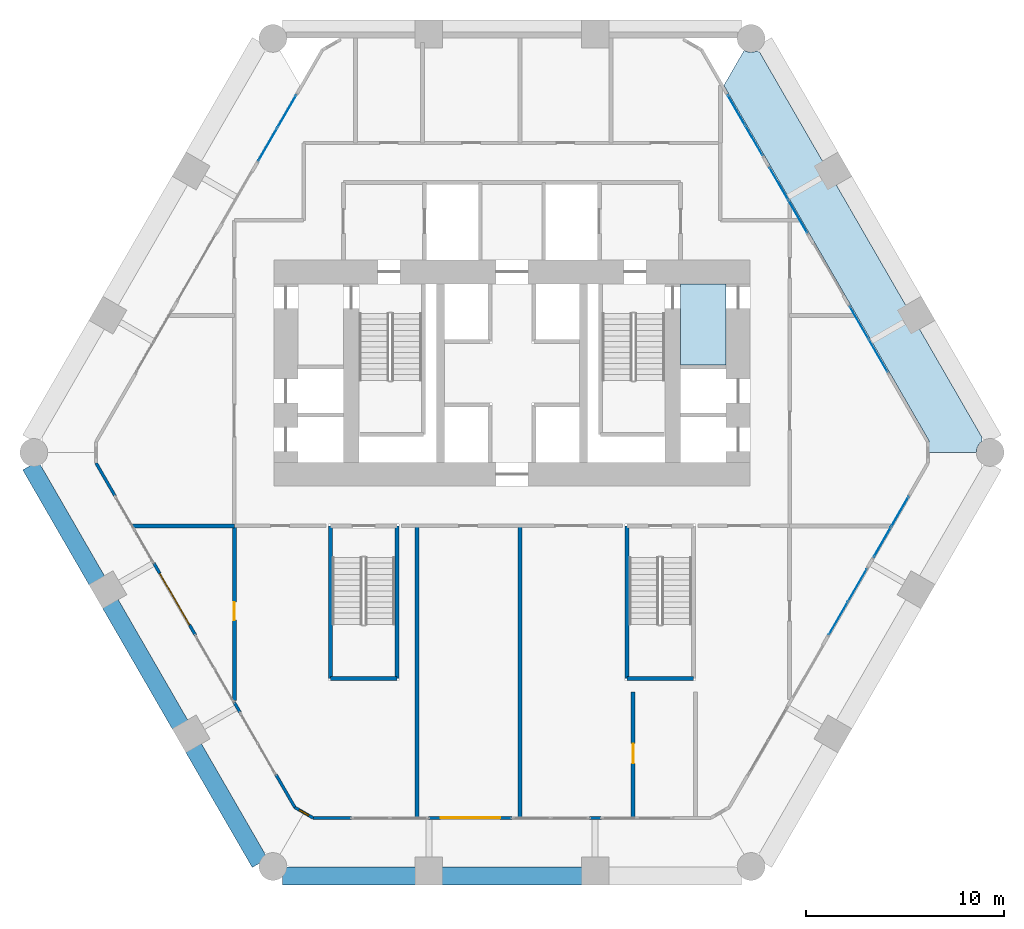
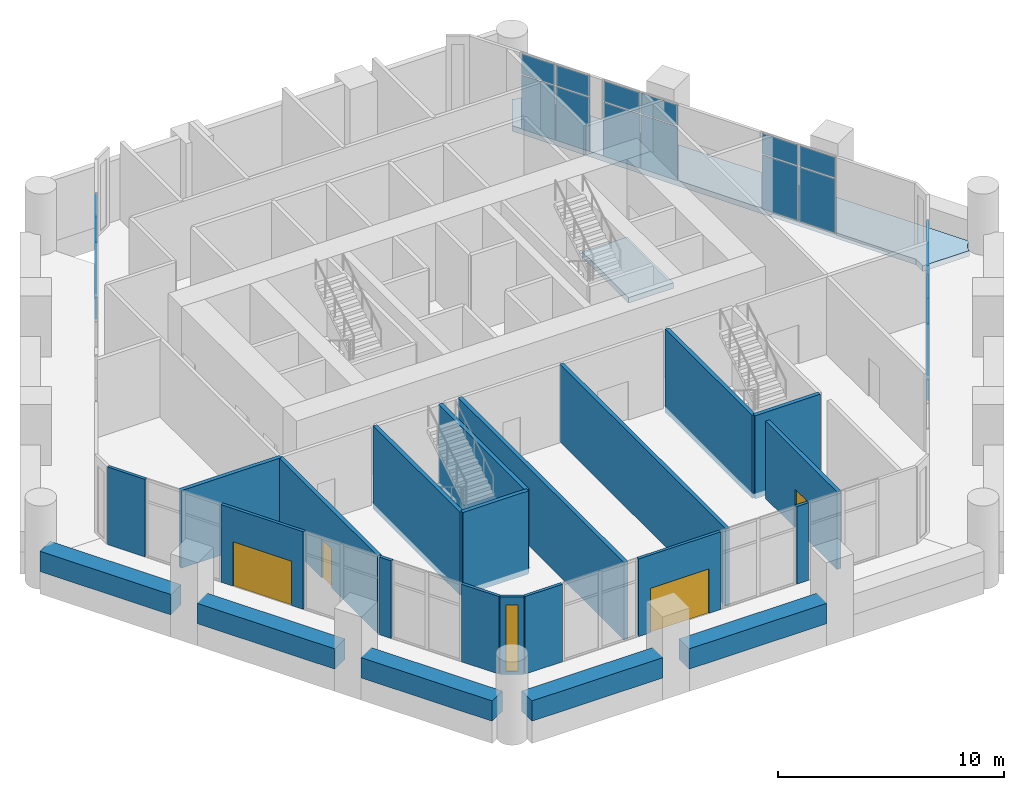
# One storey, part 13 of 18: 24 plates, 23 walls, 4 doors, 2 slabs, 1 window, 5 openings, 6 elements without a shape of their own.
"""IFC4 building model written with IfcOpenShell, lengths in metres."""

from ifc_helpers import new_model, si_unit, direction, frame, frame_2d, origin, origin_2d, place, context, subcontext, project, spatial, polyline, rectangle, outline, extrude, material, layer, layer_set, type_object, element, fill, aggregate, save


model = new_model("IFC4")

# Units and contexts
model_context = context("Model", 3, precision=1e-05, world=origin(), true_north=direction((0.0, 1.0)))
body_context = subcontext(model_context, "Body", "Model", "MODEL_VIEW")
ifc_project = project(units=[si_unit("LENGTHUNIT", "METRE"), si_unit("AREAUNIT", "SQUARE_METRE"), si_unit("VOLUMEUNIT", "CUBIC_METRE"), si_unit("PLANEANGLEUNIT", "RADIAN"), si_unit("MASSUNIT", "GRAM", prefix="KILO")], contexts=[model_context])

# Site, building, storey
site_placement = place(None, origin())
site = spatial("IfcSite", under=ifc_project, at=site_placement, CompositionType="ELEMENT")
building_placement = place(site_placement, origin())
building = spatial("IfcBuilding", under=site, at=building_placement, Name="Ostrander Bayou Hotel Tower", CompositionType="ELEMENT")
storey_placement = place(building_placement, frame((0.0, 0.0, 19.0)))
storey = spatial("IfcBuildingStorey", under=building, at=storey_placement, Name="L04", CompositionType="ELEMENT", Elevation=19.0)

# Curtain wall, plates
ifc_material_1 = material(Name="Aluminium and clear glass", Category="aluminium")
curtain_wall_type = type_object("IfcCurtainWallType", Name="CW-SKY amenity glass wall", PredefinedType="NOTDEFINED", material=ifc_material_1)
curtain_wall_1_placement = place(storey_placement, origin())
curtain_wall_1 = element("IfcCurtainWall", 1, at=curtain_wall_1_placement, inside=storey, type_object=curtain_wall_type, Name="CW-SKY L04 NW 1", PredefinedType="NOTDEFINED")
ifc_material_2 = material(Name="Clear laminated glass", Category="glass")
ifc_layer_1 = layer(ifc_material_2, 0.028076171875)
ifc_layer_set_1 = layer_set([ifc_layer_1], Name="CW-SK glazing panel 28 mm")
plate_type = type_object("IfcPlateType", Name="CW-SK glazing panel 28 mm", PredefinedType="CURTAIN_PANEL", material=ifc_layer_set_1)
plate_1_placement = place(storey_placement, frame((-11.3515625, 17.188720703125, 0.06005859375), z_axis=(0.0, 0.0, 1.0), x_axis=(-0.499999897278, -0.866025463091, 0.0)))
plate_1 = element("IfcPlate", 2, at=plate_1_placement, type_object=plate_type, Name="CW-SKY panel 1.1", PredefinedType="CURTAIN_PANEL", context=body_context, shape_type="SweptSolid", body=[
    extrude(rectangle(XDim=1.860107421875, YDim=0.028076171875, at=origin_2d()), origin(), (0.0, 0.0, 1.0), 2.909912109375),
])
plate_2_placement = place(storey_placement, frame((-11.3515625, 17.188720703125, 3.02978515625), z_axis=(0.0, 0.0, 1.0), x_axis=(-0.499999897278, -0.866025463091, 0.0)))
plate_2 = element("IfcPlate", 3, at=plate_2_placement, type_object=plate_type, Name="CW-SKY panel 1.2", PredefinedType="CURTAIN_PANEL", context=body_context, shape_type="SweptSolid", body=[
    extrude(rectangle(XDim=1.860107421875, YDim=0.028076171875, at=origin_2d()), origin(), (0.0, 0.0, 1.0), 1.110107421875),
])
plate_3_placement = place(storey_placement, frame((-12.3115234375, 15.52587890625, 0.06005859375), z_axis=(0.0, 0.0, 1.0), x_axis=(-0.499999897278, -0.866025463091, 0.0)))
plate_3 = element("IfcPlate", 4, at=plate_3_placement, type_object=plate_type, Name="CW-SKY panel 2.1", PredefinedType="CURTAIN_PANEL", context=body_context, shape_type="SweptSolid", body=[
    extrude(rectangle(XDim=1.860107421875, YDim=0.028076171875, at=origin_2d()), origin(), (0.0, 0.0, 1.0), 2.909912109375),
])
plate_4_placement = place(storey_placement, frame((-12.3115234375, 15.52587890625, 3.02978515625), z_axis=(0.0, 0.0, 1.0), x_axis=(-0.499999897278, -0.866025463091, 0.0)))
plate_4 = element("IfcPlate", 5, at=plate_4_placement, type_object=plate_type, Name="CW-SKY panel 2.2", PredefinedType="CURTAIN_PANEL", context=body_context, shape_type="SweptSolid", body=[
    extrude(rectangle(XDim=1.860107421875, YDim=0.028076171875, at=origin_2d()), origin(), (0.0, 0.0, 1.0), 1.110107421875),
])
aggregate(curtain_wall_1, [plate_1, plate_2, plate_3, plate_4])

curtain_wall_2_placement = place(storey_placement, origin())
curtain_wall_2 = element("IfcCurtainWall", 6, at=curtain_wall_2_placement, inside=storey, type_object=curtain_wall_type, Name="CW-SKY L04 SE 3", PredefinedType="NOTDEFINED")
plate_5_placement = place(storey_placement, frame((16.451416015625, -8.355224609375, 0.06005859375), z_axis=(0.0, 0.0, 1.0), x_axis=(0.499999897278, 0.866025463091, 0.0)))
plate_5 = element("IfcPlate", 7, at=plate_5_placement, type_object=plate_type, Name="CW-SKY panel 1.1", PredefinedType="CURTAIN_PANEL", context=body_context, shape_type="SweptSolid", body=[
    extrude(rectangle(XDim=1.860107421875, YDim=0.028076171875, at=origin_2d()), origin(), (0.0, 0.0, 1.0), 2.909912109375),
])
plate_6_placement = place(storey_placement, frame((16.451416015625, -8.355224609375, 3.02978515625), z_axis=(0.0, 0.0, 1.0), x_axis=(0.499999897278, 0.866025463091, 0.0)))
plate_6 = element("IfcPlate", 8, at=plate_6_placement, type_object=plate_type, Name="CW-SKY panel 1.2", PredefinedType="CURTAIN_PANEL", context=body_context, shape_type="SweptSolid", body=[
    extrude(rectangle(XDim=1.860107421875, YDim=0.028076171875, at=origin_2d()), origin(), (0.0, 0.0, 1.0), 1.110107421875),
])
plate_7_placement = place(storey_placement, frame((17.41162109375, -6.6923828125, 0.06005859375), z_axis=(0.0, 0.0, 1.0), x_axis=(0.499999897278, 0.866025463091, 0.0)))
plate_7 = element("IfcPlate", 9, at=plate_7_placement, type_object=plate_type, Name="CW-SKY panel 2.1", PredefinedType="CURTAIN_PANEL", context=body_context, shape_type="SweptSolid", body=[
    extrude(rectangle(XDim=1.860107421875, YDim=0.028076171875, at=origin_2d()), origin(), (0.0, 0.0, 1.0), 2.909912109375),
])
plate_8_placement = place(storey_placement, frame((17.41162109375, -6.6923828125, 3.02978515625), z_axis=(0.0, 0.0, 1.0), x_axis=(0.499999897278, 0.866025463091, 0.0)))
plate_8 = element("IfcPlate", 10, at=plate_8_placement, type_object=plate_type, Name="CW-SKY panel 2.2", PredefinedType="CURTAIN_PANEL", context=body_context, shape_type="SweptSolid", body=[
    extrude(rectangle(XDim=1.860107421875, YDim=0.028076171875, at=origin_2d()), origin(), (0.0, 0.0, 1.0), 1.110107421875),
])
aggregate(curtain_wall_2, [plate_5, plate_6, plate_7, plate_8])

curtain_wall_3_placement = place(storey_placement, origin())
curtain_wall_3 = element("IfcCurtainWall", 11, at=curtain_wall_3_placement, inside=storey, type_object=curtain_wall_type, Name="CW-SKY L04 SE 4", PredefinedType="NOTDEFINED")
plate_9_placement = place(storey_placement, frame((18.6640625, -4.52294921875, 0.06005859375), z_axis=(0.0, 0.0, 1.0), x_axis=(0.499998972029, 0.866025997283, 0.0)))
plate_9 = element("IfcPlate", 12, at=plate_9_placement, type_object=plate_type, Name="CW-SKY panel 1.1", PredefinedType="CURTAIN_PANEL", context=body_context, shape_type="SweptSolid", body=[
    extrude(rectangle(XDim=1.7099609375, YDim=0.028076171875, at=origin_2d()), origin(), (0.0, 0.0, 1.0), 2.909912109375),
])
plate_10_placement = place(storey_placement, frame((18.6640625, -4.52294921875, 3.02978515625), z_axis=(0.0, 0.0, 1.0), x_axis=(0.499998972029, 0.866025997283, 0.0)))
plate_10 = element("IfcPlate", 13, at=plate_10_placement, type_object=plate_type, Name="CW-SKY panel 1.2", PredefinedType="CURTAIN_PANEL", context=body_context, shape_type="SweptSolid", body=[
    extrude(rectangle(XDim=1.7099609375, YDim=0.028076171875, at=origin_2d()), origin(), (0.0, 0.0, 1.0), 1.110107421875),
])
plate_11_placement = place(storey_placement, frame((19.549072265625, -2.990234375, 0.06005859375), z_axis=(0.0, 0.0, 1.0), x_axis=(0.499998972029, 0.866025997283, 0.0)))
plate_11 = element("IfcPlate", 14, at=plate_11_placement, type_object=plate_type, Name="CW-SKY panel 2.1", PredefinedType="CURTAIN_PANEL", context=body_context, shape_type="SweptSolid", body=[
    extrude(rectangle(XDim=1.7099609375, YDim=0.028076171875, at=origin_2d()), origin(), (0.0, 0.0, 1.0), 2.909912109375),
])
plate_12_placement = place(storey_placement, frame((19.549072265625, -2.990234375, 3.02978515625), z_axis=(0.0, 0.0, 1.0), x_axis=(0.499998972029, 0.866025997283, 0.0)))
plate_12 = element("IfcPlate", 15, at=plate_12_placement, type_object=plate_type, Name="CW-SKY panel 2.2", PredefinedType="CURTAIN_PANEL", context=body_context, shape_type="SweptSolid", body=[
    extrude(rectangle(XDim=1.7099609375, YDim=0.028076171875, at=origin_2d()), origin(), (0.0, 0.0, 1.0), 1.110107421875),
])
aggregate(curtain_wall_3, [plate_9, plate_10, plate_11, plate_12])

curtain_wall_4_placement = place(storey_placement, origin())
curtain_wall_4 = element("IfcCurtainWall", 16, at=curtain_wall_4_placement, inside=storey, type_object=curtain_wall_type, Name="CW-SKY L04 NE 2", PredefinedType="NOTDEFINED")
plate_13_placement = place(storey_placement, frame((18.46142578125, 4.873779296875, 0.06005859375), z_axis=(0.0, 0.0, 1.0), x_axis=(-0.499999897278, 0.866025463091, 0.0)))
plate_13 = element("IfcPlate", 17, at=plate_13_placement, type_object=plate_type, Name="CW-SKY panel 1.1", PredefinedType="CURTAIN_PANEL", context=body_context, shape_type="SweptSolid", body=[
    extrude(rectangle(XDim=1.860107421875, YDim=0.028076171875, at=origin_2d()), origin(), (0.0, 0.0, 1.0), 2.909912109375),
])
plate_14_placement = place(storey_placement, frame((18.46142578125, 4.873779296875, 3.02978515625), z_axis=(0.0, 0.0, 1.0), x_axis=(-0.499999897278, 0.866025463091, 0.0)))
plate_14 = element("IfcPlate", 18, at=plate_14_placement, type_object=plate_type, Name="CW-SKY panel 1.2", PredefinedType="CURTAIN_PANEL", context=body_context, shape_type="SweptSolid", body=[
    extrude(rectangle(XDim=1.860107421875, YDim=0.028076171875, at=origin_2d()), origin(), (0.0, 0.0, 1.0), 1.110107421875),
])
plate_15_placement = place(storey_placement, frame((17.50146484375, 6.536376953125, 0.06005859375), z_axis=(0.0, 0.0, 1.0), x_axis=(-0.499999897278, 0.866025463091, 0.0)))
plate_15 = element("IfcPlate", 19, at=plate_15_placement, type_object=plate_type, Name="CW-SKY panel 2.1", PredefinedType="CURTAIN_PANEL", context=body_context, shape_type="SweptSolid", body=[
    extrude(rectangle(XDim=1.860107421875, YDim=0.028076171875, at=origin_2d()), origin(), (0.0, 0.0, 1.0), 2.909912109375),
])
plate_16_placement = place(storey_placement, frame((17.50146484375, 6.536376953125, 3.02978515625), z_axis=(0.0, 0.0, 1.0), x_axis=(-0.499999897278, 0.866025463091, 0.0)))
plate_16 = element("IfcPlate", 20, at=plate_16_placement, type_object=plate_type, Name="CW-SKY panel 2.2", PredefinedType="CURTAIN_PANEL", context=body_context, shape_type="SweptSolid", body=[
    extrude(rectangle(XDim=1.860107421875, YDim=0.028076171875, at=origin_2d()), origin(), (0.0, 0.0, 1.0), 1.110107421875),
])
aggregate(curtain_wall_4, [plate_13, plate_14, plate_15, plate_16])

curtain_wall_5_placement = place(storey_placement, origin())
curtain_wall_5 = element("IfcCurtainWall", 21, at=curtain_wall_5_placement, inside=storey, type_object=curtain_wall_type, Name="CW-SKY L04 NE 4", PredefinedType="NOTDEFINED")
plate_17_placement = place(storey_placement, frame((14.41162109375, 11.888671875, 0.06005859375), z_axis=(0.0, 0.0, 1.0), x_axis=(-0.499999897278, 0.866025463091, 0.0)))
plate_17 = element("IfcPlate", 22, at=plate_17_placement, type_object=plate_type, Name="CW-SKY panel 1.1", PredefinedType="CURTAIN_PANEL", context=body_context, shape_type="SweptSolid", body=[
    extrude(rectangle(XDim=1.860107421875, YDim=0.028076171875, at=origin_2d()), origin(), (0.0, 0.0, 1.0), 2.909912109375),
])
plate_18_placement = place(storey_placement, frame((14.41162109375, 11.888671875, 3.02978515625), z_axis=(0.0, 0.0, 1.0), x_axis=(-0.499999897278, 0.866025463091, 0.0)))
plate_18 = element("IfcPlate", 23, at=plate_18_placement, type_object=plate_type, Name="CW-SKY panel 1.2", PredefinedType="CURTAIN_PANEL", context=body_context, shape_type="SweptSolid", body=[
    extrude(rectangle(XDim=1.860107421875, YDim=0.028076171875, at=origin_2d()), origin(), (0.0, 0.0, 1.0), 1.110107421875),
])
plate_19_placement = place(storey_placement, frame((13.451416015625, 13.55126953125, 0.06005859375), z_axis=(0.0, 0.0, 1.0), x_axis=(-0.499999897278, 0.866025463091, 0.0)))
plate_19 = element("IfcPlate", 24, at=plate_19_placement, type_object=plate_type, Name="CW-SKY panel 2.1", PredefinedType="CURTAIN_PANEL", context=body_context, shape_type="SweptSolid", body=[
    extrude(rectangle(XDim=1.860107421875, YDim=0.028076171875, at=origin_2d()), origin(), (0.0, 0.0, 1.0), 2.909912109375),
])
plate_20_placement = place(storey_placement, frame((13.451416015625, 13.55126953125, 3.02978515625), z_axis=(0.0, 0.0, 1.0), x_axis=(-0.499999897278, 0.866025463091, 0.0)))
plate_20 = element("IfcPlate", 25, at=plate_20_placement, type_object=plate_type, Name="CW-SKY panel 2.2", PredefinedType="CURTAIN_PANEL", context=body_context, shape_type="SweptSolid", body=[
    extrude(rectangle(XDim=1.860107421875, YDim=0.028076171875, at=origin_2d()), origin(), (0.0, 0.0, 1.0), 1.110107421875),
])
aggregate(curtain_wall_5, [plate_17, plate_18, plate_19, plate_20])

curtain_wall_6_placement = place(storey_placement, origin())
curtain_wall_6 = element("IfcCurtainWall", 26, at=curtain_wall_6_placement, inside=storey, type_object=curtain_wall_type, Name="CW-SKY L04 NE 5", PredefinedType="NOTDEFINED")
plate_21_placement = place(storey_placement, frame((12.198974609375, 15.720703125, 0.06005859375), z_axis=(0.0, 0.0, 1.0), x_axis=(-0.499998972029, 0.866025997283, 0.0)))
plate_21 = element("IfcPlate", 27, at=plate_21_placement, type_object=plate_type, Name="CW-SKY panel 1.1", PredefinedType="CURTAIN_PANEL", context=body_context, shape_type="SweptSolid", body=[
    extrude(rectangle(XDim=1.7099609375, YDim=0.028076171875, at=origin_2d()), origin(), (0.0, 0.0, 1.0), 2.909912109375),
])
plate_22_placement = place(storey_placement, frame((12.198974609375, 15.720703125, 3.02978515625), z_axis=(0.0, 0.0, 1.0), x_axis=(-0.499998972029, 0.866025997283, 0.0)))
plate_22 = element("IfcPlate", 28, at=plate_22_placement, type_object=plate_type, Name="CW-SKY panel 1.2", PredefinedType="CURTAIN_PANEL", context=body_context, shape_type="SweptSolid", body=[
    extrude(rectangle(XDim=1.7099609375, YDim=0.028076171875, at=origin_2d()), origin(), (0.0, 0.0, 1.0), 1.110107421875),
])
plate_23_placement = place(storey_placement, frame((11.31396484375, 17.253662109375, 0.06005859375), z_axis=(0.0, 0.0, 1.0), x_axis=(-0.499998972029, 0.866025997283, 0.0)))
plate_23 = element("IfcPlate", 29, at=plate_23_placement, type_object=plate_type, Name="CW-SKY panel 2.1", PredefinedType="CURTAIN_PANEL", context=body_context, shape_type="SweptSolid", body=[
    extrude(rectangle(XDim=1.7099609375, YDim=0.028076171875, at=origin_2d()), origin(), (0.0, 0.0, 1.0), 2.909912109375),
])
plate_24_placement = place(storey_placement, frame((11.31396484375, 17.253662109375, 3.02978515625), z_axis=(0.0, 0.0, 1.0), x_axis=(-0.499998972029, 0.866025997283, 0.0)))
plate_24 = element("IfcPlate", 30, at=plate_24_placement, type_object=plate_type, Name="CW-SKY panel 2.2", PredefinedType="CURTAIN_PANEL", context=body_context, shape_type="SweptSolid", body=[
    extrude(rectangle(XDim=1.7099609375, YDim=0.028076171875, at=origin_2d()), origin(), (0.0, 0.0, 1.0), 1.110107421875),
])
aggregate(curtain_wall_6, [plate_21, plate_22, plate_23, plate_24])

# Slabs
ifc_material_3 = material(Name="Concrete f'c 40 MPa", Category="concrete")
ifc_layer_2 = layer(ifc_material_3, 0.300048828125)
ifc_layer_set_2 = layer_set([ifc_layer_2], Name="SL1 floor slab 300 mm f'c 40 MPa")
slab_type_1 = type_object("IfcSlabType", Name="SL1 floor slab 300 mm f'c 40 MPa", PredefinedType="FLOOR", material=ifc_layer_set_2)
slab_1_placement = place(storey_placement, frame((0.0, 0.0, -0.300048828125)))
element("IfcSlab", 31, at=slab_1_placement, inside=storey, type_object=slab_type_1, Name="cslab:L04:003", PredefinedType="FLOOR", context=body_context, shape_type="SweptSolid", body=[
    extrude(outline(polyline([(10.800048828125, 4.39990234375), (10.800048828125, 8.5), (8.5, 8.5), (8.5, 4.39990234375), (10.800048828125, 4.39990234375)])), origin(), (0.0, 0.0, 1.0), 0.300048828125),
])
ifc_material_4 = material(Name="Concrete f'c 40 MPa", Category="concrete")
ifc_layer_3 = layer(ifc_material_4, 0.300048828125)
ifc_layer_set_3 = layer_set([ifc_layer_3], Name="SL4 loggia slab 300 mm f'c 40 MPa")
slab_type_2 = type_object("IfcSlabType", Name="SL4 loggia slab 300 mm f'c 40 MPa", PredefinedType="FLOOR", material=ifc_layer_set_3)
slab_2_placement = place(storey_placement, frame((0.0, 0.0, -0.300048828125)))
element("IfcSlab", 32, at=slab_2_placement, inside=storey, type_object=slab_type_2, Name="SL4 LOGGIA L04 NE 1", PredefinedType="FLOOR", context=body_context, shape_type="SweptSolid", body=[
    extrude(outline(polyline([(11.7021484375, 20.2685546875), (11.78271484375, 20.2255859375), (11.9140625, 20.185791015625), (12.050537109375, 20.172119140625), (12.187255859375, 20.185791015625), (12.318603515625, 20.2255859375), (12.344482421875, 20.239501953125), (12.49951171875, 20.14990234375), (13.924560546875, 17.681884765625), (14.598388671875, 16.5146484375), (15.667236328125, 14.66357421875), (16.337158203125, 13.503173828125), (19.862548828125, 7.39697265625), (20.53271484375, 6.236328125), (23.7001953125, 0.75), (23.7001953125, 0.572021484375), (23.606201171875, 0.4951171875), (23.519287109375, 0.388916015625), (23.45458984375, 0.267822265625), (23.41455078125, 0.13671875), (23.401123046875, 0.0), (21.015380859375, 0.0), (21.015380859375, 0.60009765625), (10.680908203125, 18.5), (11.7021484375, 20.2685546875)])), origin(), (0.0, 0.0, 1.0), 0.300048828125),
])

# Wall, opening, door
ifc_material_5 = material(Name="Aluminium framed insulated wall", Category="aluminium")
ifc_layer_4 = layer(ifc_material_5, 0.14990234375)
ifc_layer_set_4 = layer_set([ifc_layer_4], Name="GW1 glass-line wall 150 mm")
wall_type_1 = type_object("IfcWallType", Name="GW1 glass-line wall 150 mm", PredefinedType="SOLIDWALL", material=ifc_layer_set_4)
wall_1_placement = place(storey_placement, frame((-18.056396484375, -5.5751953125, 0.0), z_axis=(0.0, 0.0, 1.0), x_axis=(0.49998411664, -0.866034573852, 0.0)))
wall_1 = element("IfcWall", 33, at=wall_1_placement, inside=storey, type_object=wall_type_1, Name="GW1 L04 SW 2", PredefinedType="SOLIDWALL", context=body_context, shape_type="SweptSolid", body=[
    extrude(rectangle(XDim=4.199951171875, YDim=0.14990234375, at=frame_2d((2.10009765625, 0.0))), origin(), (0.0, 0.0, 1.0), 4.199951171875),
])
opening_1_placement = place(wall_1_placement, frame((0.60009765625, 0.0, 0.0)))
opening_1 = element("IfcOpeningElement", 34, at=opening_1_placement, cuts=wall_1, Name="Opening T04-801", PredefinedType="OPENING", context=body_context, shape_type="SweptSolid", body=[
    extrude(rectangle(XDim=3.0, YDim=2.39990234375, at=frame_2d((1.5, 1.199951171875))), frame((0.0, 0.074951171875, 0.0), z_axis=(0.0, -1.0, 0.0), x_axis=(1.0, 0.0, 0.0)), (0.0, 0.0, 1.0), 0.14990234375),
])
ifc_material_6 = material(Name="Aluminium and clear glass", Category="aluminium")
door_type_1 = type_object("IfcDoorType", Name="SD5 sliding glass door 3000 mm", OperationType="SLIDING_TO_LEFT", PredefinedType="DOOR", material=ifc_material_6)
door_1_placement = place(opening_1_placement, origin())
door_1 = element("IfcDoor", 35, at=door_1_placement, inside=storey, type_object=door_type_1, Name="SD5 L04 SW 2", OperationType="SLIDING_TO_RIGHT", OverallHeight=2.39990234375, OverallWidth=3.0, PredefinedType="DOOR", context=body_context, shape_type="SweptSolid", body=[
    extrude(rectangle(XDim=3.0, YDim=2.39990234375, at=frame_2d((1.5, 1.199951171875))), frame((0.0, 0.02490234375, 0.0), z_axis=(0.0, -1.0, 0.0), x_axis=(1.0, 0.0, 0.0)), (0.0, 0.0, 1.0), 0.050048828125),
])
fill(opening_1, door_1)

# Walls
for number, where, z_axis, x_axis, name in (
    (36, (-20.968017578125, -0.532470703125, 0.0), (0.0, 0.0, 1.0), (0.499989888488, -0.86603124159, 0.0), "GW1 L04 SW end 1"),
    (37, (-11.906494140625, -16.227294921875, 0.0), (0.0, 0.0, 1.0), (0.499989888488, -0.86603124159, 0.0), "GW1 L04 SW end 2"),
):
    element("IfcWall", number, at=place(storey_placement, frame(where, z_axis=z_axis, x_axis=x_axis)), inside=storey, type_object=wall_type_1, Name=name, PredefinedType="SOLIDWALL", context=body_context, shape_type="SweptSolid", body=[
        extrude(rectangle(XDim=1.9228515625, YDim=0.14990234375, at=frame_2d((0.96142578125, 0.0))), origin(), (0.0, 0.0, 1.0), 4.199951171875),
    ])
wall_2_placement = place(storey_placement, frame((-14.006591796875, -12.590087890625, 0.0), z_axis=(0.0, 0.0, 1.0), x_axis=(0.50012165622, -0.865955154139, 0.0)))
element("IfcWall", 38, at=wall_2_placement, inside=storey, type_object=wall_type_1, Name="GW1 L04 SW pier 4", PredefinedType="SOLIDWALL", context=body_context, shape_type="SweptSolid", body=[
    extrude(rectangle(XDim=0.599853515625, YDim=0.14990234375, at=frame_2d((0.2998046875, 0.0))), origin(), (0.0, 0.0, 1.0), 4.199951171875),
])

# Wall, opening, door
wall_3_placement = place(storey_placement, frame((-4.199951171875, -18.425048828125, 0.0), z_axis=(0.0, 0.0, 1.0), x_axis=(1.0, 0.0, 0.0)))
wall_3 = element("IfcWall", 39, at=wall_3_placement, inside=storey, type_object=wall_type_1, Name="GW1 L04 S 2", PredefinedType="SOLIDWALL", context=body_context, shape_type="SweptSolid", body=[
    extrude(rectangle(XDim=4.199951171875, YDim=0.14990234375, at=frame_2d((2.10009765625, 0.0))), origin(), (0.0, 0.0, 1.0), 4.199951171875),
])
opening_2_placement = place(wall_3_placement, frame((0.60009765625, 0.0, 0.0)))
opening_2 = element("IfcOpeningElement", 40, at=opening_2_placement, cuts=wall_3, Name="Opening T04-802", PredefinedType="OPENING", context=body_context, shape_type="SweptSolid", body=[
    extrude(rectangle(XDim=3.0, YDim=2.39990234375, at=frame_2d((1.5, 1.199951171875))), frame((0.0, 0.074951171875, 0.0), z_axis=(0.0, -1.0, 0.0), x_axis=(1.0, 0.0, 0.0)), (0.0, 0.0, 1.0), 0.14990234375),
])
door_2_placement = place(opening_2_placement, origin())
door_2 = element("IfcDoor", 41, at=door_2_placement, inside=storey, type_object=door_type_1, Name="SD5 L04 S 2", OperationType="SLIDING_TO_RIGHT", OverallHeight=2.39990234375, OverallWidth=3.0, PredefinedType="DOOR", context=body_context, shape_type="SweptSolid", body=[
    extrude(rectangle(XDim=3.0, YDim=2.39990234375, at=frame_2d((1.5, 1.199951171875))), frame((0.0, 0.02490234375, 0.0), z_axis=(0.0, -1.0, 0.0), x_axis=(1.0, 0.0, 0.0)), (0.0, 0.0, 1.0), 0.050048828125),
])
fill(opening_2, door_2)

# Walls
wall_4_placement = place(storey_placement, frame((-10.022705078125, -18.425048828125, 0.0), z_axis=(0.0, 0.0, 1.0), x_axis=(1.0, 0.0, 0.0)))
element("IfcWall", 42, at=wall_4_placement, inside=storey, type_object=wall_type_1, Name="GW1 L04 S end 1", PredefinedType="SOLIDWALL", context=body_context, shape_type="SweptSolid", body=[
    extrude(rectangle(XDim=1.922607421875, YDim=0.14990234375, at=frame_2d((0.96142578125, 0.0))), origin(), (0.0, 0.0, 1.0), 4.199951171875),
])
wall_5_placement = place(storey_placement, frame((3.89990234375, -18.425048828125, 0.0), z_axis=(0.0, 0.0, 1.0), x_axis=(1.0, 0.0, 0.0)))
element("IfcWall", 43, at=wall_5_placement, inside=storey, type_object=wall_type_1, Name="GW1 L04 S pier 4", PredefinedType="SOLIDWALL", context=body_context, shape_type="SweptSolid", body=[
    extrude(rectangle(XDim=0.60009765625, YDim=0.14990234375, at=frame_2d((0.300048828125, 0.0))), origin(), (0.0, 0.0, 1.0), 4.199951171875),
])

# Wall, opening, window
wall_6_placement = place(storey_placement, frame((-10.945068359375, -17.892578125, 0.0), z_axis=(0.0, 0.0, 1.0), x_axis=(0.866048165231, -0.499960573946, 0.0)))
wall_6 = element("IfcWall", 44, at=wall_6_placement, inside=storey, type_object=wall_type_1, Name="GW1 L04 corner 3", PredefinedType="SOLIDWALL", context=body_context, shape_type="SweptSolid", body=[
    extrude(rectangle(XDim=1.06494140625, YDim=0.14990234375, at=frame_2d((0.532470703125, 0.0))), origin(), (0.0, 0.0, 1.0), 4.199951171875),
])
opening_3_placement = place(wall_6_placement, frame((0.257568359375, 0.0, 0.14990234375)))
opening_3 = element("IfcOpeningElement", 45, at=opening_3_placement, cuts=wall_6, Name="Opening W19", PredefinedType="OPENING", context=body_context, shape_type="SweptSolid", body=[
    extrude(rectangle(XDim=0.550048828125, YDim=3.60009765625, at=frame_2d((0.27490234375, 1.800048828125))), frame((0.0, 0.074951171875, 0.0), z_axis=(0.0, -1.0, 0.0), x_axis=(1.0, 0.0, 0.0)), (0.0, 0.0, 1.0), 0.14990234375),
])
ifc_material_7 = material(Name="Aluminium and clear glass", Category="aluminium")
window_type = type_object("IfcWindowType", Name="W19 corner window 550 mm", PartitioningType="SINGLE_PANEL", PredefinedType="WINDOW", material=ifc_material_7)
window_placement = place(opening_3_placement, origin())
window = element("IfcWindow", 46, at=window_placement, inside=storey, type_object=window_type, Name="W19 L04 corner 3", OverallHeight=3.60009765625, OverallWidth=0.550048828125, PartitioningType="SINGLE_PANEL", PredefinedType="WINDOW", context=body_context, shape_type="SweptSolid", body=[
    extrude(rectangle(XDim=0.550048828125, YDim=3.60009765625, at=frame_2d((0.27490234375, 1.800048828125))), frame((0.0, 0.030029296875, 0.0), z_axis=(0.0, -1.0, 0.0), x_axis=(1.0, 0.0, 0.0)), (0.0, 0.0, 1.0), 0.06005859375),
])
fill(opening_3, window)

# Walls
ifc_material_8 = material(Name="Concrete f'c 40 MPa", Category="concrete")
ifc_layer_5 = layer(ifc_material_8, 0.89990234375)
ifc_layer_set_5 = layer_set([ifc_layer_5], Name="PA1 stone-faced parapet 900 mm")
wall_type_2 = type_object("IfcWallType", Name="PA1 stone-faced parapet 900 mm", PredefinedType="PARAPET", material=ifc_layer_set_5)
wall_7_placement = place(storey_placement, frame((-11.569091796875, -21.35009765625, 0.0), z_axis=(0.0, 0.0, 1.0), x_axis=(1.0, 0.0, 0.0)))
element("IfcWall", 47, at=wall_7_placement, inside=storey, type_object=wall_type_2, Name="PA1 L04 S-1", PredefinedType="PARAPET", context=body_context, shape_type="SweptSolid", body=[
    extrude(rectangle(XDim=6.70361328125, YDim=0.89990234375, at=frame_2d((3.351806640625, 0.0))), origin(), (0.0, 0.0, 1.0), 1.10009765625),
])
wall_8_placement = place(storey_placement, frame((-3.525390625, -21.35009765625, 0.0), z_axis=(0.0, 0.0, 1.0), x_axis=(1.0, 0.0, 0.0)))
element("IfcWall", 48, at=wall_8_placement, inside=storey, type_object=wall_type_2, Name="PA1 L04 S-2", PredefinedType="PARAPET", context=body_context, shape_type="SweptSolid", body=[
    extrude(rectangle(XDim=7.05078125, YDim=0.89990234375, at=frame_2d((3.525390625, 0.0))), origin(), (0.0, 0.0, 1.0), 1.10009765625),
])
ifc_material_9 = material(Name="Limestone masonry", Category="masonry")
ifc_layer_6 = layer(ifc_material_9, 0.89990234375)
ifc_layer_set_6 = layer_set([ifc_layer_6], Name="PA2 limestone parapet 900 mm")
wall_type_3 = type_object("IfcWallType", Name="PA2 limestone parapet 900 mm", PredefinedType="PARAPET", material=ifc_layer_set_6)
wall_9_placement = place(storey_placement, frame((-24.274169921875, -0.656005859375, 0.0), z_axis=(0.0, 0.0, 1.0), x_axis=(0.500005133765, -0.866022439784, 0.0)))
element("IfcWall", 49, at=wall_9_placement, inside=storey, type_object=wall_type_3, Name="PA2 L04 SW-1", PredefinedType="PARAPET", context=body_context, shape_type="SweptSolid", body=[
    extrude(rectangle(XDim=6.70361328125, YDim=0.89990234375, at=frame_2d((3.351806640625, 0.0))), origin(), (0.0, 0.0, 1.0), 1.10009765625),
])
wall_10_placement = place(storey_placement, frame((-20.252197265625, -7.621826171875, 0.0), z_axis=(0.0, 0.0, 1.0), x_axis=(0.499997206141, -0.866027016814, 0.0)))
element("IfcWall", 50, at=wall_10_placement, inside=storey, type_object=wall_type_3, Name="PA2 L04 SW-2", PredefinedType="PARAPET", context=body_context, shape_type="SweptSolid", body=[
    extrude(rectangle(XDim=7.05078125, YDim=0.89990234375, at=frame_2d((3.525390625, 0.0))), origin(), (0.0, 0.0, 1.0), 1.10009765625),
])
wall_11_placement = place(storey_placement, frame((-16.056884765625, -14.888671875, 0.0), z_axis=(0.0, 0.0, 1.0), x_axis=(0.500005133765, -0.866022439784, 0.0)))
element("IfcWall", 51, at=wall_11_placement, inside=storey, type_object=wall_type_3, Name="PA2 L04 SW-3", PredefinedType="PARAPET", context=body_context, shape_type="SweptSolid", body=[
    extrude(rectangle(XDim=6.70361328125, YDim=0.89990234375, at=frame_2d((3.351806640625, 0.0))), origin(), (0.0, 0.0, 1.0), 1.10009765625),
])
ifc_material_10 = material(Name="Gypsum board partition", Category="finish")
ifc_layer_7 = layer(ifc_material_10, 0.199951171875)
ifc_layer_set_7 = layer_set([ifc_layer_7], Name="PT3 demising wall 200 mm acoustic double stud, 1 hour")
wall_type_4 = type_object("IfcWallType", Name="PT3 demising wall 200 mm acoustic double stud, 1 hour", PredefinedType="PARTITIONING", material=ifc_layer_set_7)
wall_12_placement = place(storey_placement, frame((-19.117919921875, -3.699951171875, 0.0), z_axis=(0.0, 0.0, 1.0), x_axis=(1.0, 0.0, 0.0)))
element("IfcWall", 52, at=wall_12_placement, inside=storey, type_object=wall_type_4, Name="sw:L04:011", PredefinedType="PARTITIONING", context=body_context, shape_type="SweptSolid", body=[
    extrude(rectangle(XDim=5.117919921875, YDim=0.199951171875, at=frame_2d((2.55908203125, 0.0))), origin(), (0.0, 0.0, 1.0), 4.199951171875),
])

# Wall, opening, door
wall_13_placement = place(storey_placement, frame((-14.0, -12.509033203125, 0.0), z_axis=(0.0, 0.0, 1.0), x_axis=(0.0, 1.0, 0.0)))
wall_13 = element("IfcWall", 53, at=wall_13_placement, inside=storey, type_object=wall_type_4, Name="sw:L04:015", PredefinedType="PARTITIONING", context=body_context, shape_type="SweptSolid", body=[
    extrude(rectangle(XDim=8.80908203125, YDim=0.199951171875, at=frame_2d((4.404541015625, 0.0))), origin(), (0.0, 0.0, 1.0), 4.199951171875),
])
opening_4_placement = place(wall_13_placement, frame((4.0634765625, 0.0, 0.0)))
opening_4 = element("IfcOpeningElement", 54, at=opening_4_placement, cuts=wall_13, Name="Opening T04-205", PredefinedType="OPENING", context=body_context, shape_type="SweptSolid", body=[
    extrude(rectangle(XDim=0.89990234375, YDim=2.10009765625, at=frame_2d((0.449951171875, 1.050048828125))), frame((0.0, 0.10009765625, 0.0), z_axis=(0.0, -1.0, 0.0), x_axis=(1.0, 0.0, 0.0)), (0.0, 0.0, 1.0), 0.199951171875),
])
ifc_material_11 = material(Name="Timber door leaf", Category="wood")
door_type_2 = type_object("IfcDoorType", Name="D8 room door 900 x 2100 mm", OperationType="SINGLE_SWING_LEFT", PredefinedType="DOOR", material=ifc_material_11)
door_3_placement = place(opening_4_placement, origin())
door_3 = element("IfcDoor", 55, at=door_3_placement, inside=storey, type_object=door_type_2, Name="dr:L04:205", OperationType="SINGLE_SWING_LEFT", OverallHeight=2.10009765625, OverallWidth=0.89990234375, PredefinedType="DOOR", context=body_context, shape_type="SweptSolid", body=[
    extrude(rectangle(XDim=0.89990234375, YDim=2.10009765625, at=frame_2d((0.449951171875, 1.050048828125))), frame((0.0, 0.02490234375, 0.0), z_axis=(0.0, -1.0, 0.0), x_axis=(1.0, 0.0, 0.0)), (0.0, 0.0, 1.0), 0.050048828125),
])
fill(opening_4, door_3)

# Walls
for number, where, z_axis, x_axis, name in (
    (56, (-4.800048828125, -18.406005859375, 0.0), (0.0, 0.0, 1.0), (0.0, 1.0, 0.0), "sw:L04:017"),
    (57, (0.39990234375, -18.406005859375, 0.0), (0.0, 0.0, 1.0), (0.0, 1.0, 0.0), "sw:L04:019"),
):
    element("IfcWall", number, at=place(storey_placement, frame(where, z_axis=z_axis, x_axis=x_axis)), inside=storey, type_object=wall_type_4, Name=name, PredefinedType="PARTITIONING", context=body_context, shape_type="SweptSolid", body=[
        extrude(rectangle(XDim=14.7060546875, YDim=0.199951171875, at=frame_2d((7.35302734375, 0.0))), origin(), (0.0, 0.0, 1.0), 4.199951171875),
    ])

# Wall, opening, door
wall_14_placement = place(storey_placement, frame((6.10009765625, -18.406005859375, 0.0), z_axis=(0.0, 0.0, 1.0), x_axis=(0.0, 1.0, 0.0)))
wall_14 = element("IfcWall", 58, at=wall_14_placement, inside=storey, type_object=wall_type_4, Name="sw:L04:022", PredefinedType="PARTITIONING", context=body_context, shape_type="SweptSolid", body=[
    extrude(rectangle(XDim=6.325927734375, YDim=0.199951171875, at=frame_2d((3.1630859375, 0.0))), origin(), (0.0, 0.0, 1.0), 4.199951171875),
])
opening_5_placement = place(wall_14_placement, frame((2.73095703125, 0.0, 0.0)))
opening_5 = element("IfcOpeningElement", 59, at=opening_5_placement, cuts=wall_14, Name="Opening T04-203", PredefinedType="OPENING", context=body_context, shape_type="SweptSolid", body=[
    extrude(rectangle(XDim=1.0, YDim=2.10009765625, at=frame_2d((0.5, 1.050048828125))), frame((0.0, 0.10009765625, 0.0), z_axis=(0.0, -1.0, 0.0), x_axis=(1.0, 0.0, 0.0)), (0.0, 0.0, 1.0), 0.199951171875),
])
ifc_material_12 = material(Name="Timber door leaf", Category="wood")
door_type_3 = type_object("IfcDoorType", Name="D9 service door 1000 x 2100 mm, 30 minute", OperationType="SINGLE_SWING_LEFT", PredefinedType="DOOR", material=ifc_material_12)
door_4_placement = place(opening_5_placement, origin())
door_4 = element("IfcDoor", 60, at=door_4_placement, inside=storey, type_object=door_type_3, Name="dr:L04:203", OperationType="SINGLE_SWING_LEFT", OverallHeight=2.10009765625, OverallWidth=1.0, PredefinedType="DOOR", context=body_context, shape_type="SweptSolid", body=[
    extrude(rectangle(XDim=1.0, YDim=2.10009765625, at=frame_2d((0.5, 1.050048828125))), frame((0.0, 0.02490234375, 0.0), z_axis=(0.0, -1.0, 0.0), x_axis=(1.0, 0.0, 0.0)), (0.0, 0.0, 1.0), 0.050048828125),
])
fill(opening_5, door_4)

# Walls
ifc_material_13 = material(Name="Concrete f'c 45 MPa", Category="concrete")
ifc_layer_8 = layer(ifc_material_13, 0.199951171875)
ifc_layer_set_8 = layer_set([ifc_layer_8], Name="SW5 stair enclosure wall 200 mm f'c 45 MPa")
wall_type_5 = type_object("IfcWallType", Name="SW5 stair enclosure wall 200 mm f'c 45 MPa", PredefinedType="SOLIDWALL", material=ifc_layer_set_8)
wall_15_placement = place(storey_placement, frame((5.800048828125, -3.699951171875, -0.300048828125), z_axis=(0.0, 0.0, 1.0), x_axis=(0.0, -1.0, 0.0)))
element("IfcWall", 61, at=wall_15_placement, inside=storey, type_object=wall_type_5, Name="cs:L04:014", PredefinedType="SOLIDWALL", context=body_context, shape_type="SweptSolid", body=[
    extrude(rectangle(XDim=7.699951171875, YDim=0.199951171875, at=frame_2d((3.85009765625, 0.0))), origin(), (0.0, 0.0, 1.0), 4.5),
])
wall_16_placement = place(storey_placement, frame((5.800048828125, -11.39990234375, -0.300048828125), z_axis=(0.0, 0.0, 1.0), x_axis=(1.0, 0.0, 0.0)))
element("IfcWall", 62, at=wall_16_placement, inside=storey, type_object=wall_type_5, Name="cs:L04:016", PredefinedType="SOLIDWALL", context=body_context, shape_type="SweptSolid", body=[
    extrude(rectangle(XDim=3.349853515625, YDim=0.199951171875, at=frame_2d((1.6748046875, 0.0))), origin(), (0.0, 0.0, 1.0), 4.5),
])
for number, where, z_axis, x_axis, name in (
    (63, (-9.14990234375, -3.699951171875, -0.300048828125), (0.0, 0.0, 1.0), (0.0, -1.0, 0.0), "cs:L04:018"),
    (64, (-5.800048828125, -3.699951171875, -0.300048828125), (0.0, 0.0, 1.0), (0.0, -1.0, 0.0), "cs:L04:019"),
):
    element("IfcWall", number, at=place(storey_placement, frame(where, z_axis=z_axis, x_axis=x_axis)), inside=storey, type_object=wall_type_5, Name=name, PredefinedType="SOLIDWALL", context=body_context, shape_type="SweptSolid", body=[
        extrude(rectangle(XDim=7.699951171875, YDim=0.199951171875, at=frame_2d((3.85009765625, 0.0))), origin(), (0.0, 0.0, 1.0), 4.5),
    ])
wall_17_placement = place(storey_placement, frame((-9.14990234375, -11.39990234375, -0.300048828125), z_axis=(0.0, 0.0, 1.0), x_axis=(1.0, 0.0, 0.0)))
element("IfcWall", 65, at=wall_17_placement, inside=storey, type_object=wall_type_5, Name="cs:L04:020", PredefinedType="SOLIDWALL", context=body_context, shape_type="SweptSolid", body=[
    extrude(rectangle(XDim=3.349853515625, YDim=0.199951171875, at=frame_2d((1.6748046875, 0.0))), origin(), (0.0, 0.0, 1.0), 4.5),
])

save(model, "model.ifc")
